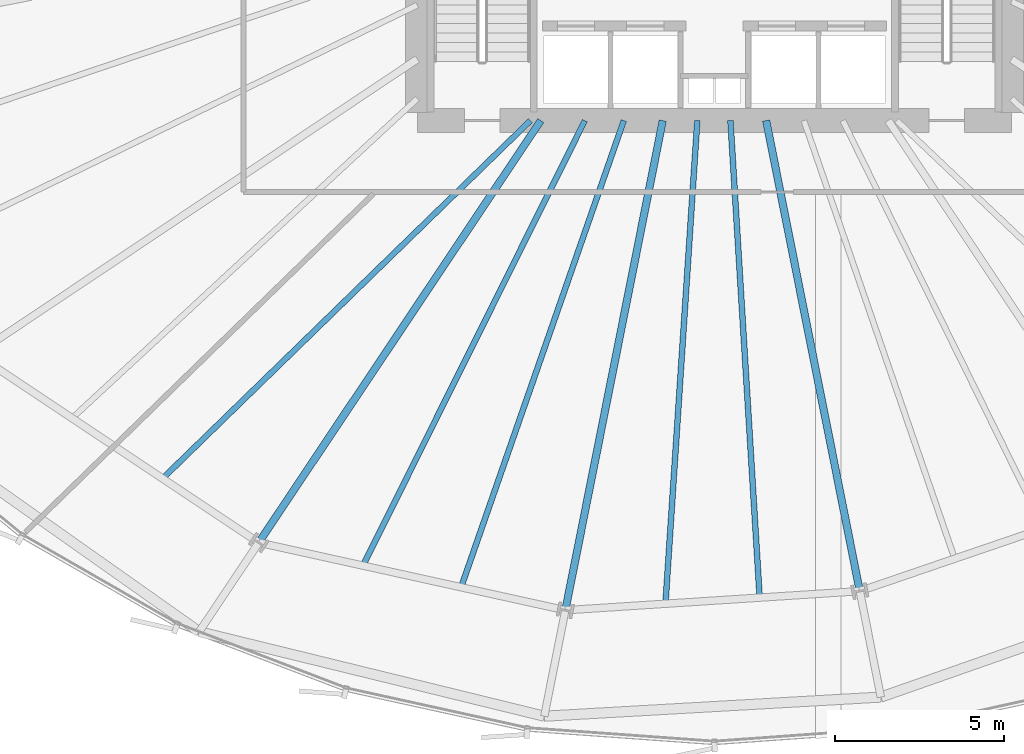
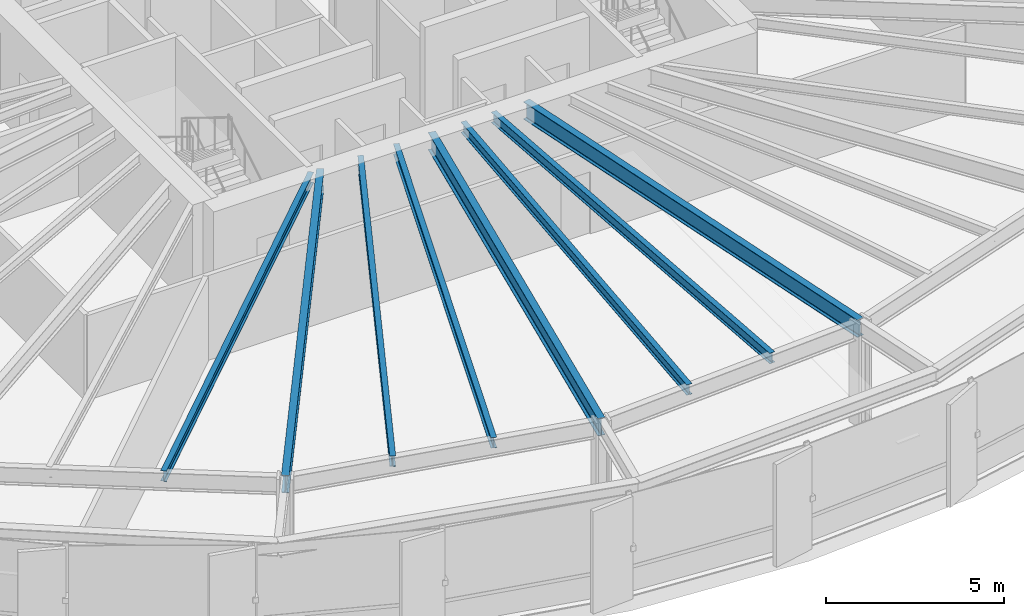
# One storey, part 11 of 38: 8 beams.
"""IFC4 building model written with IfcOpenShell, lengths in metres."""

from ifc_helpers import new_model, si_unit, direction, frame, origin, origin_2d, place, context, subcontext, project, spatial, i_section, extrude, source, transform, mapped, material, material_profile, profile_set, type_object, element, save


model = new_model("IFC4")

# Units and contexts
model_context = context("Model", 3, precision=1e-05, world=origin(), true_north=direction((0.0, 1.0)))
body_context = subcontext(model_context, "Body", "Model", "MODEL_VIEW")
ifc_project = project(units=[si_unit("LENGTHUNIT", "METRE"), si_unit("AREAUNIT", "SQUARE_METRE"), si_unit("VOLUMEUNIT", "CUBIC_METRE"), si_unit("PLANEANGLEUNIT", "RADIAN"), si_unit("MASSUNIT", "GRAM", prefix="KILO"), si_unit("THERMODYNAMICTEMPERATUREUNIT", "KELVIN")], contexts=[model_context])

# Site, building, storey
site_placement = place(None, origin())
site = spatial("IfcSite", under=ifc_project, at=site_placement, CompositionType="ELEMENT")
building_placement = place(site_placement, origin())
building = spatial("IfcBuilding", under=site, at=building_placement, Name="Kethvar Cultural Tower", CompositionType="ELEMENT")
storey_placement = place(building_placement, frame((0.0, 0.0, 29.60009765625)))
storey = spatial("IfcBuildingStorey", under=building, at=storey_placement, Name="L06", CompositionType="ELEMENT", Elevation=29.60009765625)

# Beams
ifc_material = material(Name="Steel S355J2", Category="steel")
ifc_material_profile_1 = material_profile(ifc_material, i_section(OverallWidth=0.219970703125, OverallDepth=0.60009765625, WebThickness=0.011962890625, FlangeThickness=0.01904296875, FilletRadius=0.02392578125, at=origin_2d()), Name="Steel S355J2 — IPE600")
ifc_profile_set_1 = profile_set([ifc_material_profile_1], Name="Steel S355J2 — IPE600")
beam_type_1 = type_object("IfcBeamType", Name="BM-IPE600", PredefinedType="BEAM", material=ifc_profile_set_1)
shared_shape_1 = source(origin(), body_context, "Body", "SweptSolid", [
    extrude(i_section(OverallWidth=0.219970703125, OverallDepth=0.60009765625, WebThickness=0.011962890625, FlangeThickness=0.01904296875, FilletRadius=0.02392578125, at=origin_2d()), origin(), (0.0, 0.0, 1.0), 15.03515625),
])
beam_1_placement = place(storey_placement, frame((41.655029296875, 20.10009765625, 3.247802734375), z_axis=(-0.555569254616, -0.83147026605, 0.0), x_axis=(0.83147026605, -0.555569254616, 0.0)))
element("IfcBeam", 1, at=beam_1_placement, inside=storey, type_object=beam_type_1, Name="L06 Primary Radial Beam RB-11", PredefinedType="BEAM", context=body_context, shape_type="MappedRepresentation", body=[
    mapped(shared_shape_1, transform((0.0, 0.0, 0.0), scale=1.0)),
])
shared_shape_2 = source(origin(), body_context, "Body", "SweptSolid", [
    extrude(i_section(OverallWidth=0.219970703125, OverallDepth=0.60009765625, WebThickness=0.011962890625, FlangeThickness=0.01904296875, FilletRadius=0.02392578125, at=origin_2d()), origin(), (0.0, 0.0, 1.0), 14.7880859375),
])
beam_2_placement = place(storey_placement, frame((45.268310546875, 20.10009765625, 3.247802734375), z_axis=(-0.1950905456, -0.98078523593, 0.0), x_axis=(0.98078523593, -0.1950905456, 0.0)))
element("IfcBeam", 2, at=beam_2_placement, inside=storey, type_object=beam_type_1, Name="L06 Primary Radial Beam RB-12", PredefinedType="BEAM", context=body_context, shape_type="MappedRepresentation", body=[
    mapped(shared_shape_2, transform((0.0, 0.0, 0.0), scale=1.0)),
])
shared_shape_3 = source(origin(), body_context, "Body", "SweptSolid", [
    extrude(i_section(OverallWidth=0.219970703125, OverallDepth=0.60009765625, WebThickness=0.011962890625, FlangeThickness=0.01904296875, FilletRadius=0.02392578125, at=origin_2d()), origin(), (0.0, 0.0, 1.0), 14.210693359375),
])
beam_3_placement = place(storey_placement, frame((48.33154296875, 20.10009765625, 3.247802734375), z_axis=(0.195098432651, -0.980783667063, 0.0), x_axis=(0.980783667063, 0.195098432651, 0.0)))
element("IfcBeam", 3, at=beam_3_placement, inside=storey, type_object=beam_type_1, Name="L06 Primary Radial Beam RB-13", PredefinedType="BEAM", context=body_context, shape_type="MappedRepresentation", body=[
    mapped(shared_shape_3, transform((0.0, 0.0, 0.0), scale=1.0)),
])
ifc_material_profile_2 = material_profile(ifc_material, i_section(OverallWidth=0.169921875, OverallDepth=0.360107421875, WebThickness=0.008056640625, FlangeThickness=0.0126953125, FilletRadius=0.01806640625, at=origin_2d()), Name="Steel S355J2 — IPE360")
ifc_profile_set_2 = profile_set([ifc_material_profile_2], Name="Steel S355J2 — IPE360")
beam_type_2 = type_object("IfcBeamType", Name="BM-J360", PredefinedType="JOIST", material=ifc_profile_set_2)
shared_shape_4 = source(origin(), body_context, "Body", "SweptSolid", [
    extrude(i_section(OverallWidth=0.169921875, OverallDepth=0.360107421875, WebThickness=0.008056640625, FlangeThickness=0.0126953125, FilletRadius=0.01806640625, at=origin_2d()), origin(), (0.0, 0.0, 1.0), 15.20361328125),
])
beam_4_placement = place(storey_placement, frame((41.35009765625, 20.10009765625, 3.367919921875), z_axis=(-0.716707709325, -0.697373687053, 0.0), x_axis=(0.697373687053, -0.716707709325, 0.0)))
element("IfcBeam", 4, at=beam_4_placement, inside=storey, type_object=beam_type_2, Name="L06 Composite Floor Joist J-10B", PredefinedType="JOIST", context=body_context, shape_type="MappedRepresentation", body=[
    mapped(shared_shape_4, transform((0.0, 0.0, 0.0), scale=1.0)),
])
shared_shape_5 = source(origin(), body_context, "Body", "SweptSolid", [
    extrude(i_section(OverallWidth=0.169921875, OverallDepth=0.360107421875, WebThickness=0.008056640625, FlangeThickness=0.0126953125, FilletRadius=0.01806640625, at=origin_2d()), origin(), (0.0, 0.0, 1.0), 14.729248046875),
])
beam_5_placement = place(storey_placement, frame((42.961181640625, 20.10009765625, 3.367919921875), z_axis=(-0.446152473361, -0.894956965733, 0.0), x_axis=(0.894956965733, -0.446152473361, 0.0)))
element("IfcBeam", 5, at=beam_5_placement, inside=storey, type_object=beam_type_2, Name="L06 Composite Floor Joist J-11A", PredefinedType="JOIST", context=body_context, shape_type="MappedRepresentation", body=[
    mapped(shared_shape_5, transform((0.0, 0.0, 0.0), scale=1.0)),
])
shared_shape_6 = source(origin(), body_context, "Body", "SweptSolid", [
    extrude(i_section(OverallWidth=0.169921875, OverallDepth=0.360107421875, WebThickness=0.008056640625, FlangeThickness=0.0126953125, FilletRadius=0.01806640625, at=origin_2d()), origin(), (0.0, 0.0, 1.0), 14.63916015625),
])
beam_6_placement = place(storey_placement, frame((44.115234375, 20.10009765625, 3.367919921875), z_axis=(-0.329226238223, -0.94425107046, 0.0), x_axis=(0.94425107046, -0.329226238223, 0.0)))
element("IfcBeam", 6, at=beam_6_placement, inside=storey, type_object=beam_type_2, Name="L06 Composite Floor Joist J-11B", PredefinedType="JOIST", context=body_context, shape_type="MappedRepresentation", body=[
    mapped(shared_shape_6, transform((0.0, 0.0, 0.0), scale=1.0)),
])
shared_shape_7 = source(origin(), body_context, "Body", "SweptSolid", [
    extrude(i_section(OverallWidth=0.169921875, OverallDepth=0.360107421875, WebThickness=0.008056640625, FlangeThickness=0.0126953125, FilletRadius=0.01806640625, at=origin_2d()), origin(), (0.0, 0.0, 1.0), 14.34228515625),
])
beam_7_placement = place(storey_placement, frame((46.292236328125, 20.10009765625, 3.367919921875), z_axis=(-0.065808348808, -0.997832281111, 0.0), x_axis=(0.997832281111, -0.065808348808, 0.0)))
element("IfcBeam", 7, at=beam_7_placement, inside=storey, type_object=beam_type_2, Name="L06 Composite Floor Joist J-12A", PredefinedType="JOIST", context=body_context, shape_type="MappedRepresentation", body=[
    mapped(shared_shape_7, transform((0.0, 0.0, 0.0), scale=1.0)),
])
shared_shape_8 = source(origin(), body_context, "Body", "SweptSolid", [
    extrude(i_section(OverallWidth=0.169921875, OverallDepth=0.360107421875, WebThickness=0.008056640625, FlangeThickness=0.0126953125, FilletRadius=0.01806640625, at=origin_2d()), origin(), (0.0, 0.0, 1.0), 14.156494140625),
])
beam_8_placement = place(storey_placement, frame((47.272216796875, 20.10009765625, 3.367919921875), z_axis=(0.06122296991, -0.998124114505, 0.0), x_axis=(0.998124114505, 0.06122296991, 0.0)))
element("IfcBeam", 8, at=beam_8_placement, inside=storey, type_object=beam_type_2, Name="L06 Composite Floor Joist J-12B", PredefinedType="JOIST", context=body_context, shape_type="MappedRepresentation", body=[
    mapped(shared_shape_8, transform((0.0, 0.0, 0.0), scale=1.0)),
])

save(model, "model.ifc")
